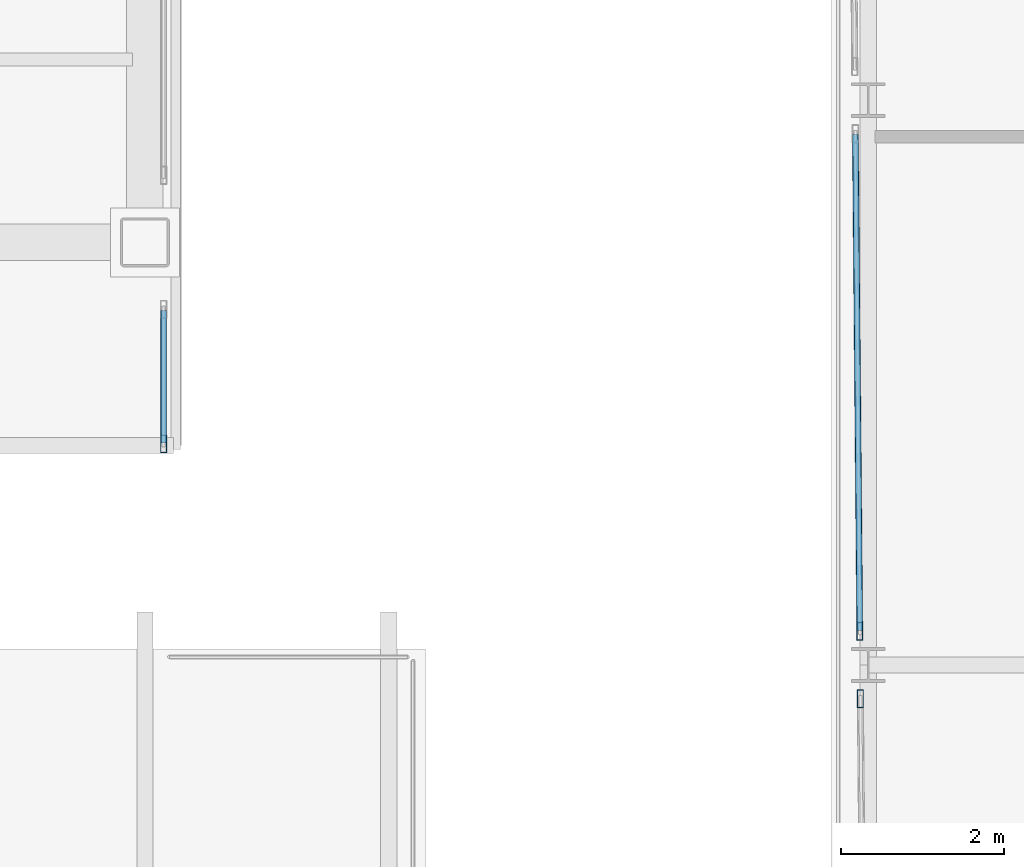
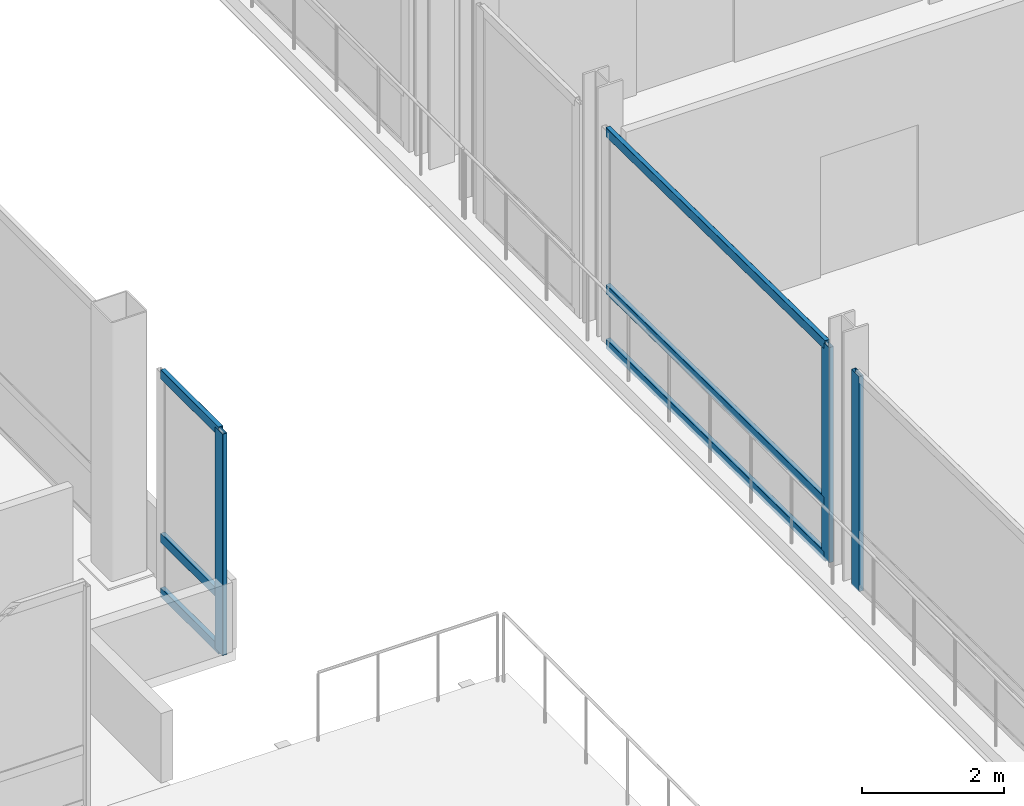
# One storey, part 13 of 34: 9 members, 3 elements without a shape of their own.
"""IFC4 building model written with IfcOpenShell, lengths in metres."""

from ifc_helpers import new_model, si_unit, direction, frame, origin, origin_2d, place, context, subcontext, project, spatial, hollow_rectangle, extrude, material, material_profile, profile_set, type_object, element, aggregate, save


model = new_model("IFC4")

# Units and contexts
model_context = context("Model", 3, precision=1e-05, world=origin(), true_north=direction((0.0, 1.0)))
body_context = subcontext(model_context, "Body", "Model", "MODEL_VIEW")
ifc_project = project(units=[si_unit("LENGTHUNIT", "METRE"), si_unit("AREAUNIT", "SQUARE_METRE"), si_unit("VOLUMEUNIT", "CUBIC_METRE"), si_unit("PLANEANGLEUNIT", "RADIAN"), si_unit("MASSUNIT", "GRAM", prefix="KILO")], contexts=[model_context])

# Site, building, storey
site_placement = place(None, origin())
site = spatial("IfcSite", under=ifc_project, at=site_placement, CompositionType="ELEMENT")
building_placement = place(site_placement, origin())
building = spatial("IfcBuilding", under=site, at=building_placement, Name="Noeulbin Bourse Tower", CompositionType="ELEMENT")
storey_placement = place(building_placement, frame((0.0, 0.0, 22.0)))
storey = spatial("IfcBuildingStorey", under=building, at=storey_placement, Name="L05", CompositionType="ELEMENT", Elevation=22.0)

# Curtain wall, member
ifc_material_1 = material(Name="Laminated Clear Low-E Glass", Category="glass")
curtain_wall_type_1 = type_object("IfcCurtainWallType", Name="CW-SYS-1", PredefinedType="NOTDEFINED", material=ifc_material_1)
curtain_wall_1_placement = place(storey_placement, origin())
curtain_wall_1 = element("IfcCurtainWall", 1, at=curtain_wall_1_placement, inside=storey, type_object=curtain_wall_type_1, Name="Unitised Curtain Wall CW-L05-MKT-W-S1", PredefinedType="NOTDEFINED")
ifc_material_2 = material(Name="Anodised Aluminium 6063-T6", Category="aluminium")
ifc_material_profile_1 = material_profile(ifc_material_2, hollow_rectangle(XDim=0.074951171875, YDim=0.219970703125, WallThickness=0.0048828125, InnerFilletRadius=0.00244140625, OuterFilletRadius=0.0048828125, at=origin_2d()), Name="ALU-MULL-75x220x5", Category="LoadBearing")
ifc_profile_set_1 = profile_set([ifc_material_profile_1], Name="Anodised Aluminium 6063-T6")
member_type_1 = type_object("IfcMemberType", Name="CW-SYS-1-MUL", PredefinedType="MULLION", material=ifc_profile_set_1)
member_1_placement = place(storey_placement, frame((60.35302734375, 14.385986328125, -0.02001953125), z_axis=(0.0, 0.0, 1.0), x_axis=(1.0, 0.0, 0.0)))
member_1 = element("IfcMember", 2, at=member_1_placement, type_object=member_type_1, Name="Curtain Wall Mullion CW-L05-MKT-W-S1-M02", PredefinedType="MULLION", context=body_context, shape_type="SweptSolid", body=[
    extrude(hollow_rectangle(XDim=0.074951171875, YDim=0.219970703125, WallThickness=0.0048828125, InnerFilletRadius=0.00244140625, OuterFilletRadius=0.0048828125, at=origin_2d()), origin(), (0.0, 0.0, 1.0), 3.7099609375),
])
aggregate(curtain_wall_1, [member_1])

# Curtain wall, members
curtain_wall_2_placement = place(storey_placement, origin())
curtain_wall_2 = element("IfcCurtainWall", 3, at=curtain_wall_2_placement, inside=storey, type_object=curtain_wall_type_1, Name="Unitised Curtain Wall CW-L05-MKT-W-S2", PredefinedType="NOTDEFINED")
member_2_placement = place(storey_placement, frame((60.345703125, 15.214111328125, -0.02001953125), z_axis=(0.0, 0.0, 1.0), x_axis=(1.0, 0.0, 0.0)))
member_2 = element("IfcMember", 4, at=member_2_placement, type_object=member_type_1, Name="Curtain Wall Mullion CW-L05-MKT-W-S2-M00", PredefinedType="MULLION", context=body_context, shape_type="SweptSolid", body=[
    extrude(hollow_rectangle(XDim=0.074951171875, YDim=0.219970703125, WallThickness=0.0048828125, InnerFilletRadius=0.00244140625, OuterFilletRadius=0.0048828125, at=origin_2d()), origin(), (0.0, 0.0, 1.0), 3.7099609375),
])
ifc_material_profile_2 = material_profile(ifc_material_2, hollow_rectangle(XDim=0.074951171875, YDim=0.159912109375, WallThickness=0.0048828125, InnerFilletRadius=0.00244140625, OuterFilletRadius=0.0048828125, at=origin_2d()), Name="ALU-TRAN-75x160x5", Category="LoadBearing")
ifc_profile_set_2 = profile_set([ifc_material_profile_2], Name="Anodised Aluminium 6063-T6")
member_type_2 = type_object("IfcMemberType", Name="CW-SYS-1-TRN", PredefinedType="USERDEFINED", material=ifc_profile_set_2)
member_3_placement = place(storey_placement, frame((60.345703125, 15.22412109375, 0.010009765625), z_axis=(-0.008882136709, 0.999960553046, 0.0), x_axis=(-0.999960553046, -0.008882136709, 0.0)))
member_3 = element("IfcMember", 5, at=member_3_placement, type_object=member_type_2, Name="Curtain Wall Transom CW-L05-MKT-W-S2-T00", ObjectType="TRANSOM", PredefinedType="USERDEFINED", context=body_context, shape_type="SweptSolid", body=[
    extrude(hollow_rectangle(XDim=0.074951171875, YDim=0.159912109375, WallThickness=0.0048828125, InnerFilletRadius=0.00244140625, OuterFilletRadius=0.0048828125, at=origin_2d()), origin(), (0.0, 0.0, 1.0), 6.10205078125),
])
member_4_placement = place(storey_placement, frame((60.345703125, 15.22412109375, 0.949951171875), z_axis=(-0.008882136709, 0.999960553046, 0.0), x_axis=(-0.999960553046, -0.008882136709, 0.0)))
member_4 = element("IfcMember", 6, at=member_4_placement, type_object=member_type_2, Name="Curtain Wall Transom CW-L05-MKT-W-S2-T01", ObjectType="TRANSOM", PredefinedType="USERDEFINED", context=body_context, shape_type="SweptSolid", body=[
    extrude(hollow_rectangle(XDim=0.074951171875, YDim=0.159912109375, WallThickness=0.0048828125, InnerFilletRadius=0.00244140625, OuterFilletRadius=0.0048828125, at=origin_2d()), origin(), (0.0, 0.0, 1.0), 6.10205078125),
])
member_5_placement = place(storey_placement, frame((60.345703125, 15.22412109375, 3.659912109375), z_axis=(-0.008882136709, 0.999960553046, 0.0), x_axis=(-0.999960553046, -0.008882136709, 0.0)))
member_5 = element("IfcMember", 7, at=member_5_placement, type_object=member_type_2, Name="Curtain Wall Transom CW-L05-MKT-W-S2-T02", ObjectType="TRANSOM", PredefinedType="USERDEFINED", context=body_context, shape_type="SweptSolid", body=[
    extrude(hollow_rectangle(XDim=0.074951171875, YDim=0.159912109375, WallThickness=0.0048828125, InnerFilletRadius=0.00244140625, OuterFilletRadius=0.0048828125, at=origin_2d()), origin(), (0.0, 0.0, 1.0), 6.10205078125),
])
aggregate(curtain_wall_2, [member_2, member_3, member_4, member_5])

ifc_material_3 = material(Name="Dark Solar-Control Double Glazing", Category="glass")
curtain_wall_type_2 = type_object("IfcCurtainWallType", Name="CW-SYS-2", PredefinedType="NOTDEFINED", material=ifc_material_3)
curtain_wall_3_placement = place(storey_placement, origin())
curtain_wall_3 = element("IfcCurtainWall", 8, at=curtain_wall_3_placement, inside=storey, type_object=curtain_wall_type_2, Name="Unitised Curtain Wall CW-L05-E-S1", PredefinedType="NOTDEFINED")
ifc_material_profile_3 = material_profile(ifc_material_2, hollow_rectangle(XDim=0.074951171875, YDim=0.219970703125, WallThickness=0.0048828125, InnerFilletRadius=0.00244140625, OuterFilletRadius=0.0048828125, at=origin_2d()), Name="ALU-MULL-75x220x5", Category="LoadBearing")
ifc_profile_set_3 = profile_set([ifc_material_profile_3], Name="Anodised Aluminium 6063-T6")
member_type_3 = type_object("IfcMemberType", Name="CW-SYS-2-MUL", PredefinedType="MULLION", material=ifc_profile_set_3)
member_6_placement = place(storey_placement, frame((51.780029296875, 17.52001953125, -0.02001953125), z_axis=(0.0, 0.0, 1.0), x_axis=(1.0, 0.0, 0.0)))
member_6 = element("IfcMember", 9, at=member_6_placement, type_object=member_type_3, Name="Curtain Wall Mullion CW-L05-E-S1-M00", PredefinedType="MULLION", context=body_context, shape_type="SweptSolid", body=[
    extrude(hollow_rectangle(XDim=0.074951171875, YDim=0.219970703125, WallThickness=0.0048828125, InnerFilletRadius=0.00244140625, OuterFilletRadius=0.0048828125, at=origin_2d()), origin(), (0.0, 0.0, 1.0), 3.820068359375),
])
ifc_material_profile_4 = material_profile(ifc_material_2, hollow_rectangle(XDim=0.074951171875, YDim=0.159912109375, WallThickness=0.0048828125, InnerFilletRadius=0.00244140625, OuterFilletRadius=0.0048828125, at=origin_2d()), Name="ALU-TRAN-75x160x5", Category="LoadBearing")
ifc_profile_set_4 = profile_set([ifc_material_profile_4], Name="Anodised Aluminium 6063-T6")
member_type_4 = type_object("IfcMemberType", Name="CW-SYS-2-TRN", PredefinedType="USERDEFINED", material=ifc_profile_set_4)
member_7_placement = place(storey_placement, frame((51.780029296875, 17.530029296875, 0.010009765625), z_axis=(0.0, 1.0, 0.0), x_axis=(-1.0, 0.0, 0.0)))
member_7 = element("IfcMember", 10, at=member_7_placement, type_object=member_type_4, Name="Curtain Wall Transom CW-L05-E-S1-T00", ObjectType="TRANSOM", PredefinedType="USERDEFINED", context=body_context, shape_type="SweptSolid", body=[
    extrude(hollow_rectangle(XDim=0.074951171875, YDim=0.159912109375, WallThickness=0.0048828125, InnerFilletRadius=0.00244140625, OuterFilletRadius=0.0048828125, at=origin_2d()), origin(), (0.0, 0.0, 1.0), 1.635009765625),
])
member_8_placement = place(storey_placement, frame((51.780029296875, 17.530029296875, 0.949951171875), z_axis=(0.0, 1.0, 0.0), x_axis=(-1.0, 0.0, 0.0)))
member_8 = element("IfcMember", 11, at=member_8_placement, type_object=member_type_4, Name="Curtain Wall Transom CW-L05-E-S1-T01", ObjectType="TRANSOM", PredefinedType="USERDEFINED", context=body_context, shape_type="SweptSolid", body=[
    extrude(hollow_rectangle(XDim=0.074951171875, YDim=0.159912109375, WallThickness=0.0048828125, InnerFilletRadius=0.00244140625, OuterFilletRadius=0.0048828125, at=origin_2d()), origin(), (0.0, 0.0, 1.0), 1.635009765625),
])
member_9_placement = place(storey_placement, frame((51.780029296875, 17.530029296875, 3.77001953125), z_axis=(0.0, 1.0, 0.0), x_axis=(-1.0, 0.0, 0.0)))
member_9 = element("IfcMember", 12, at=member_9_placement, type_object=member_type_4, Name="Curtain Wall Transom CW-L05-E-S1-T02", ObjectType="TRANSOM", PredefinedType="USERDEFINED", context=body_context, shape_type="SweptSolid", body=[
    extrude(hollow_rectangle(XDim=0.074951171875, YDim=0.159912109375, WallThickness=0.0048828125, InnerFilletRadius=0.00244140625, OuterFilletRadius=0.0048828125, at=origin_2d()), origin(), (0.0, 0.0, 1.0), 1.635009765625),
])
aggregate(curtain_wall_3, [member_6, member_7, member_8, member_9])

save(model, "model.ifc")
